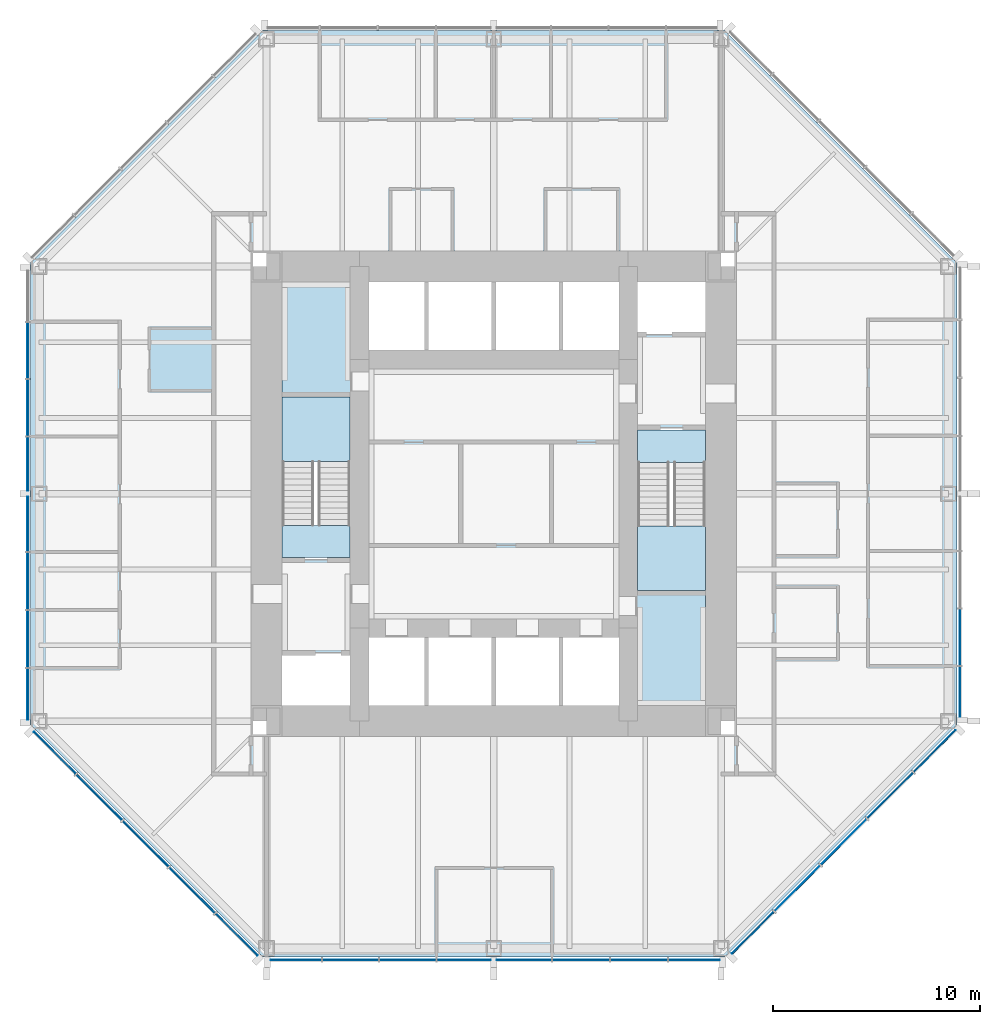
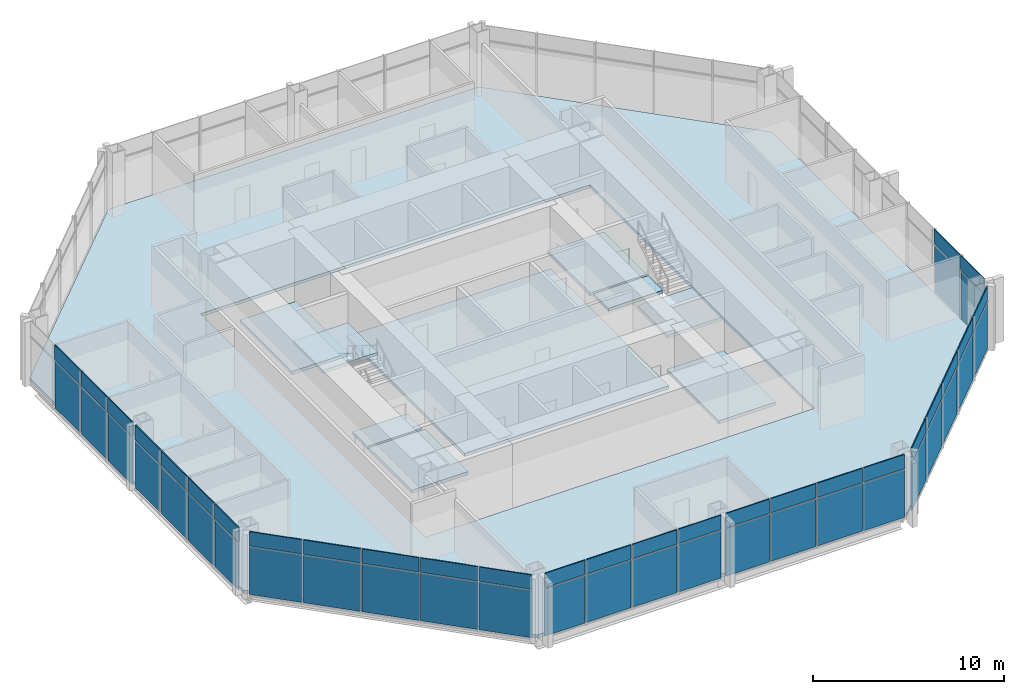
# One storey, part 7 of 12: 54 plates, 10 slabs, 7 elements without a shape of their own.
"""IFC4 building model written with IfcOpenShell, lengths in metres."""

from ifc_helpers import new_model, si_unit, direction, frame, origin, origin_2d, place, context, subcontext, project, spatial, polyline, rectangle, outline, extrude, material, layer, layer_set, type_object, element, aggregate, save


model = new_model("IFC4")

# Units and contexts
model_context = context("Model", 3, precision=1e-05, world=origin(), true_north=direction((0.0, 1.0)))
body_context = subcontext(model_context, "Body", "Model", "MODEL_VIEW")
ifc_project = project(units=[si_unit("LENGTHUNIT", "METRE"), si_unit("AREAUNIT", "SQUARE_METRE"), si_unit("VOLUMEUNIT", "CUBIC_METRE"), si_unit("PLANEANGLEUNIT", "RADIAN"), si_unit("MASSUNIT", "GRAM", prefix="KILO")], contexts=[model_context])

# Site, building, storey
site_placement = place(None, origin())
site = spatial("IfcSite", under=ifc_project, at=site_placement, CompositionType="ELEMENT")
building_placement = place(site_placement, origin())
building = spatial("IfcBuilding", under=site, at=building_placement, Name="Trevanion Tower", CompositionType="ELEMENT")
storey_placement = place(building_placement, frame((0.0, 0.0, 125.39990234375)))
storey = spatial("IfcBuildingStorey", under=building, at=storey_placement, Name="L29", CompositionType="ELEMENT", Elevation=125.39990234375)

# Curtain wall, plates
ifc_material_1 = material(Name="Aluminium and glass", Category="aluminium")
curtain_wall_type = type_object("IfcCurtainWallType", Name="CW2 curtain wall", PredefinedType="USERDEFINED", material=ifc_material_1)
curtain_wall_1_placement = place(storey_placement, origin())
curtain_wall_1 = element("IfcCurtainWall", 1, at=curtain_wall_1_placement, inside=storey, type_object=curtain_wall_type, Name="CW2 L29 0", ObjectType="UNITISED CURTAIN WALL", PredefinedType="USERDEFINED")
ifc_material_2 = material(Name="Aluminium spandrel panel", Category="aluminium")
ifc_layer_1 = layer(ifc_material_2, 0.06005859375)
ifc_layer_set_1 = layer_set([ifc_layer_1], Name="CW2 spandrel panel")
plate_type_1 = type_object("IfcPlateType", Name="CW2 spandrel panel", PredefinedType="CURTAIN_PANEL", material=ifc_layer_set_1)
plate_1_placement = place(storey_placement, frame((22.550048828125, -9.579345703125, 2.99755859375), z_axis=(0.0, 0.0, 1.0), x_axis=(0.0, 1.0, 0.0)))
plate_1 = element("IfcPlate", 2, at=plate_1_placement, type_object=plate_type_1, Name="CW2 panel 1.2", PredefinedType="CURTAIN_PANEL", context=body_context, shape_type="SweptSolid", body=[
    extrude(rectangle(XDim=2.43701171875, YDim=0.06005859375, at=origin_2d()), origin(), (0.0, 0.0, 1.0), 0.91259765625),
])
plate_2_placement = place(storey_placement, frame((22.550048828125, -6.93603515625, 2.99755859375), z_axis=(0.0, 0.0, 1.0), x_axis=(0.0, 1.0, 0.0)))
plate_2 = element("IfcPlate", 3, at=plate_2_placement, type_object=plate_type_1, Name="CW2 panel 2.2", PredefinedType="CURTAIN_PANEL", context=body_context, shape_type="SweptSolid", body=[
    extrude(rectangle(XDim=2.699462890625, YDim=0.06005859375, at=origin_2d()), origin(), (0.0, 0.0, 1.0), 0.91259765625),
])

curtain_wall_2_placement = place(storey_placement, origin())
curtain_wall_2 = element("IfcCurtainWall", 4, at=curtain_wall_2_placement, inside=storey, type_object=curtain_wall_type, Name="CW2 L29 4", ObjectType="UNITISED CURTAIN WALL", PredefinedType="USERDEFINED")
plate_3_placement = place(storey_placement, frame((-22.550048828125, 6.93603515625, 2.99755859375), z_axis=(0.0, 0.0, 1.0), x_axis=(0.0, -1.0, 0.0)))
plate_3 = element("IfcPlate", 5, at=plate_3_placement, type_object=plate_type_1, Name="CW2 panel 2.2", PredefinedType="CURTAIN_PANEL", context=body_context, shape_type="SweptSolid", body=[
    extrude(rectangle(XDim=2.699462890625, YDim=0.06005859375, at=origin_2d()), origin(), (0.0, 0.0, 1.0), 0.91259765625),
])
plate_4_placement = place(storey_placement, frame((-22.550048828125, 4.16162109375, 2.99755859375), z_axis=(0.0, 0.0, 1.0), x_axis=(0.0, -1.0, 0.0)))
plate_4 = element("IfcPlate", 6, at=plate_4_placement, type_object=plate_type_1, Name="CW2 panel 3.2", PredefinedType="CURTAIN_PANEL", context=body_context, shape_type="SweptSolid", body=[
    extrude(rectangle(XDim=2.699462890625, YDim=0.06005859375, at=origin_2d()), origin(), (0.0, 0.0, 1.0), 0.91259765625),
])
plate_5_placement = place(storey_placement, frame((-22.550048828125, 1.443603515625, 2.99755859375), z_axis=(0.0, 0.0, 1.0), x_axis=(0.0, -1.0, 0.0)))
plate_5 = element("IfcPlate", 7, at=plate_5_placement, type_object=plate_type_1, Name="CW2 panel 4.2", PredefinedType="CURTAIN_PANEL", context=body_context, shape_type="SweptSolid", body=[
    extrude(rectangle(XDim=2.5869140625, YDim=0.06005859375, at=origin_2d()), origin(), (0.0, 0.0, 1.0), 0.91259765625),
])
plate_6_placement = place(storey_placement, frame((-22.550048828125, -1.459716796875, 2.99755859375), z_axis=(0.0, 0.0, 1.0), x_axis=(0.0, -1.0, 0.0)))
plate_6 = element("IfcPlate", 8, at=plate_6_placement, type_object=plate_type_1, Name="CW2 panel 5.2", PredefinedType="CURTAIN_PANEL", context=body_context, shape_type="SweptSolid", body=[
    extrude(rectangle(XDim=2.619384765625, YDim=0.06005859375, at=origin_2d()), origin(), (0.0, 0.0, 1.0), 0.91259765625),
])
plate_7_placement = place(storey_placement, frame((-22.550048828125, -4.21044921875, 2.99755859375), z_axis=(0.0, 0.0, 1.0), x_axis=(0.0, -1.0, 0.0)))
plate_7 = element("IfcPlate", 9, at=plate_7_placement, type_object=plate_type_1, Name="CW2 panel 6.2", PredefinedType="CURTAIN_PANEL", context=body_context, shape_type="SweptSolid", body=[
    extrude(rectangle(XDim=2.73193359375, YDim=0.06005859375, at=origin_2d()), origin(), (0.0, 0.0, 1.0), 0.91259765625),
])
plate_8_placement = place(storey_placement, frame((-22.550048828125, -7.017333984375, 2.99755859375), z_axis=(0.0, 0.0, 1.0), x_axis=(0.0, -1.0, 0.0)))
plate_8 = element("IfcPlate", 10, at=plate_8_placement, type_object=plate_type_1, Name="CW2 panel 7.2", PredefinedType="CURTAIN_PANEL", context=body_context, shape_type="SweptSolid", body=[
    extrude(rectangle(XDim=2.73193359375, YDim=0.06005859375, at=origin_2d()), origin(), (0.0, 0.0, 1.0), 0.91259765625),
])
plate_9_placement = place(storey_placement, frame((-22.550048828125, -9.693115234375, 2.99755859375), z_axis=(0.0, 0.0, 1.0), x_axis=(0.0, -1.0, 0.0)))
plate_9 = element("IfcPlate", 11, at=plate_9_placement, type_object=plate_type_1, Name="CW2 panel 8.2", PredefinedType="CURTAIN_PANEL", context=body_context, shape_type="SweptSolid", body=[
    extrude(rectangle(XDim=2.469482421875, YDim=0.06005859375, at=origin_2d()), origin(), (0.0, 0.0, 1.0), 0.91259765625),
])

curtain_wall_3_placement = place(storey_placement, origin())
curtain_wall_3 = element("IfcCurtainWall", 12, at=curtain_wall_3_placement, inside=storey, type_object=curtain_wall_type, Name="CW2 L29 5", ObjectType="UNITISED CURTAIN WALL", PredefinedType="USERDEFINED")
plate_10_placement = place(storey_placement, frame((-21.2421875, -12.53564453125, 2.99755859375), z_axis=(0.0, 0.0, 1.0), x_axis=(0.707106781187, -0.707106781187, 0.0)))
plate_10 = element("IfcPlate", 13, at=plate_10_placement, type_object=plate_type_1, Name="CW2 panel 1.2", PredefinedType="CURTAIN_PANEL", context=body_context, shape_type="SweptSolid", body=[
    extrude(rectangle(XDim=2.8388671875, YDim=0.06005859375, at=origin_2d()), origin(), (0.0, 0.0, 1.0), 0.91259765625),
])
plate_11_placement = place(storey_placement, frame((-19.089111328125, -14.688720703125, 2.99755859375), z_axis=(0.0, 0.0, 1.0), x_axis=(0.707106781187, -0.707106781187, 0.0)))
plate_11 = element("IfcPlate", 14, at=plate_11_placement, type_object=plate_type_1, Name="CW2 panel 2.2", PredefinedType="CURTAIN_PANEL", context=body_context, shape_type="SweptSolid", body=[
    extrude(rectangle(XDim=3.101318359375, YDim=0.06005859375, at=origin_2d()), origin(), (0.0, 0.0, 1.0), 0.91259765625),
])
plate_12_placement = place(storey_placement, frame((-16.843017578125, -16.934814453125, 2.99755859375), z_axis=(0.0, 0.0, 1.0), x_axis=(0.707106781187, -0.707106781187, 0.0)))
plate_12 = element("IfcPlate", 15, at=plate_12_placement, type_object=plate_type_1, Name="CW2 panel 3.2", PredefinedType="CURTAIN_PANEL", context=body_context, shape_type="SweptSolid", body=[
    extrude(rectangle(XDim=3.101318359375, YDim=0.06005859375, at=origin_2d()), origin(), (0.0, 0.0, 1.0), 0.91259765625),
])
plate_13_placement = place(storey_placement, frame((-14.596923828125, -19.180908203125, 2.99755859375), z_axis=(0.0, 0.0, 1.0), x_axis=(0.707106781187, -0.707106781187, 0.0)))
plate_13 = element("IfcPlate", 16, at=plate_13_placement, type_object=plate_type_1, Name="CW2 panel 4.2", PredefinedType="CURTAIN_PANEL", context=body_context, shape_type="SweptSolid", body=[
    extrude(rectangle(XDim=3.101318359375, YDim=0.06005859375, at=origin_2d()), origin(), (0.0, 0.0, 1.0), 0.91259765625),
])
plate_14_placement = place(storey_placement, frame((-12.443603515625, -21.334228515625, 2.99755859375), z_axis=(0.0, 0.0, 1.0), x_axis=(0.707106781187, -0.707106781187, 0.0)))
plate_14 = element("IfcPlate", 17, at=plate_14_placement, type_object=plate_type_1, Name="CW2 panel 5.2", PredefinedType="CURTAIN_PANEL", context=body_context, shape_type="SweptSolid", body=[
    extrude(rectangle(XDim=2.8388671875, YDim=0.06005859375, at=origin_2d()), origin(), (0.0, 0.0, 1.0), 0.91259765625),
])

curtain_wall_4_placement = place(storey_placement, origin())
curtain_wall_4 = element("IfcCurtainWall", 18, at=curtain_wall_4_placement, inside=storey, type_object=curtain_wall_type, Name="CW2 L29 6", ObjectType="UNITISED CURTAIN WALL", PredefinedType="USERDEFINED")
plate_15_placement = place(storey_placement, frame((-9.579345703125, -22.550048828125, 2.99755859375), z_axis=(0.0, 0.0, 1.0), x_axis=(1.0, 0.0, 0.0)))
plate_15 = element("IfcPlate", 19, at=plate_15_placement, type_object=plate_type_1, Name="CW2 panel 1.2", PredefinedType="CURTAIN_PANEL", context=body_context, shape_type="SweptSolid", body=[
    extrude(rectangle(XDim=2.43701171875, YDim=0.06005859375, at=origin_2d()), origin(), (0.0, 0.0, 1.0), 0.91259765625),
])
plate_16_placement = place(storey_placement, frame((-6.93603515625, -22.550048828125, 2.99755859375), z_axis=(0.0, 0.0, 1.0), x_axis=(1.0, 0.0, 0.0)))
plate_16 = element("IfcPlate", 20, at=plate_16_placement, type_object=plate_type_1, Name="CW2 panel 2.2", PredefinedType="CURTAIN_PANEL", context=body_context, shape_type="SweptSolid", body=[
    extrude(rectangle(XDim=2.699462890625, YDim=0.06005859375, at=origin_2d()), origin(), (0.0, 0.0, 1.0), 0.91259765625),
])
plate_17_placement = place(storey_placement, frame((-4.16162109375, -22.550048828125, 2.99755859375), z_axis=(0.0, 0.0, 1.0), x_axis=(1.0, 0.0, 0.0)))
plate_17 = element("IfcPlate", 21, at=plate_17_placement, type_object=plate_type_1, Name="CW2 panel 3.2", PredefinedType="CURTAIN_PANEL", context=body_context, shape_type="SweptSolid", body=[
    extrude(rectangle(XDim=2.699462890625, YDim=0.06005859375, at=origin_2d()), origin(), (0.0, 0.0, 1.0), 0.91259765625),
])
plate_18_placement = place(storey_placement, frame((-1.443603515625, -22.550048828125, 2.99755859375), z_axis=(0.0, 0.0, 1.0), x_axis=(1.0, 0.0, 0.0)))
plate_18 = element("IfcPlate", 22, at=plate_18_placement, type_object=plate_type_1, Name="CW2 panel 4.2", PredefinedType="CURTAIN_PANEL", context=body_context, shape_type="SweptSolid", body=[
    extrude(rectangle(XDim=2.5869140625, YDim=0.06005859375, at=origin_2d()), origin(), (0.0, 0.0, 1.0), 0.91259765625),
])
plate_19_placement = place(storey_placement, frame((1.459716796875, -22.550048828125, 2.99755859375), z_axis=(0.0, 0.0, 1.0), x_axis=(1.0, 0.0, 0.0)))
plate_19 = element("IfcPlate", 23, at=plate_19_placement, type_object=plate_type_1, Name="CW2 panel 5.2", PredefinedType="CURTAIN_PANEL", context=body_context, shape_type="SweptSolid", body=[
    extrude(rectangle(XDim=2.619384765625, YDim=0.06005859375, at=origin_2d()), origin(), (0.0, 0.0, 1.0), 0.91259765625),
])
plate_20_placement = place(storey_placement, frame((4.21044921875, -22.550048828125, 2.99755859375), z_axis=(0.0, 0.0, 1.0), x_axis=(1.0, 0.0, 0.0)))
plate_20 = element("IfcPlate", 24, at=plate_20_placement, type_object=plate_type_1, Name="CW2 panel 6.2", PredefinedType="CURTAIN_PANEL", context=body_context, shape_type="SweptSolid", body=[
    extrude(rectangle(XDim=2.73193359375, YDim=0.06005859375, at=origin_2d()), origin(), (0.0, 0.0, 1.0), 0.91259765625),
])
plate_21_placement = place(storey_placement, frame((7.017333984375, -22.550048828125, 2.99755859375), z_axis=(0.0, 0.0, 1.0), x_axis=(1.0, 0.0, 0.0)))
plate_21 = element("IfcPlate", 25, at=plate_21_placement, type_object=plate_type_1, Name="CW2 panel 7.2", PredefinedType="CURTAIN_PANEL", context=body_context, shape_type="SweptSolid", body=[
    extrude(rectangle(XDim=2.73193359375, YDim=0.06005859375, at=origin_2d()), origin(), (0.0, 0.0, 1.0), 0.91259765625),
])
plate_22_placement = place(storey_placement, frame((9.693115234375, -22.550048828125, 2.99755859375), z_axis=(0.0, 0.0, 1.0), x_axis=(1.0, 0.0, 0.0)))
plate_22 = element("IfcPlate", 26, at=plate_22_placement, type_object=plate_type_1, Name="CW2 panel 8.2", PredefinedType="CURTAIN_PANEL", context=body_context, shape_type="SweptSolid", body=[
    extrude(rectangle(XDim=2.469482421875, YDim=0.06005859375, at=origin_2d()), origin(), (0.0, 0.0, 1.0), 0.91259765625),
])

curtain_wall_5_placement = place(storey_placement, origin())
curtain_wall_5 = element("IfcCurtainWall", 27, at=curtain_wall_5_placement, inside=storey, type_object=curtain_wall_type, Name="CW2 L29 7", ObjectType="UNITISED CURTAIN WALL", PredefinedType="USERDEFINED")
plate_23_placement = place(storey_placement, frame((12.53564453125, -21.2421875, 2.99755859375), z_axis=(0.0, 0.0, 1.0), x_axis=(0.707106781187, 0.707106781187, 0.0)))
plate_23 = element("IfcPlate", 28, at=plate_23_placement, type_object=plate_type_1, Name="CW2 panel 1.2", PredefinedType="CURTAIN_PANEL", context=body_context, shape_type="SweptSolid", body=[
    extrude(rectangle(XDim=2.8388671875, YDim=0.06005859375, at=origin_2d()), origin(), (0.0, 0.0, 1.0), 0.91259765625),
])
plate_24_placement = place(storey_placement, frame((14.688720703125, -19.089111328125, 2.99755859375), z_axis=(0.0, 0.0, 1.0), x_axis=(0.707106781187, 0.707106781187, 0.0)))
plate_24 = element("IfcPlate", 29, at=plate_24_placement, type_object=plate_type_1, Name="CW2 panel 2.2", PredefinedType="CURTAIN_PANEL", context=body_context, shape_type="SweptSolid", body=[
    extrude(rectangle(XDim=3.101318359375, YDim=0.06005859375, at=origin_2d()), origin(), (0.0, 0.0, 1.0), 0.91259765625),
])
plate_25_placement = place(storey_placement, frame((16.934814453125, -16.843017578125, 2.99755859375), z_axis=(0.0, 0.0, 1.0), x_axis=(0.707106781187, 0.707106781187, 0.0)))
plate_25 = element("IfcPlate", 30, at=plate_25_placement, type_object=plate_type_1, Name="CW2 panel 3.2", PredefinedType="CURTAIN_PANEL", context=body_context, shape_type="SweptSolid", body=[
    extrude(rectangle(XDim=3.101318359375, YDim=0.06005859375, at=origin_2d()), origin(), (0.0, 0.0, 1.0), 0.91259765625),
])
plate_26_placement = place(storey_placement, frame((19.180908203125, -14.596923828125, 2.99755859375), z_axis=(0.0, 0.0, 1.0), x_axis=(0.707106781187, 0.707106781187, 0.0)))
plate_26 = element("IfcPlate", 31, at=plate_26_placement, type_object=plate_type_1, Name="CW2 panel 4.2", PredefinedType="CURTAIN_PANEL", context=body_context, shape_type="SweptSolid", body=[
    extrude(rectangle(XDim=3.101318359375, YDim=0.06005859375, at=origin_2d()), origin(), (0.0, 0.0, 1.0), 0.91259765625),
])
plate_27_placement = place(storey_placement, frame((21.334228515625, -12.443603515625, 2.99755859375), z_axis=(0.0, 0.0, 1.0), x_axis=(0.707106781187, 0.707106781187, 0.0)))
plate_27 = element("IfcPlate", 32, at=plate_27_placement, type_object=plate_type_1, Name="CW2 panel 5.2", PredefinedType="CURTAIN_PANEL", context=body_context, shape_type="SweptSolid", body=[
    extrude(rectangle(XDim=2.8388671875, YDim=0.06005859375, at=origin_2d()), origin(), (0.0, 0.0, 1.0), 0.91259765625),
])

# Plate
ifc_material_3 = material(Name="Insulating glass unit", Category="glass")
ifc_layer_2 = layer(ifc_material_3, 0.028076171875)
ifc_layer_set_2 = layer_set([ifc_layer_2], Name="CW2 vision panel")
plate_type_2 = type_object("IfcPlateType", Name="CW2 vision panel", PredefinedType="CURTAIN_PANEL", material=ifc_layer_set_2)
plate_28_placement = place(storey_placement, frame((22.550048828125, -9.579345703125, -0.114990234375), z_axis=(0.0, 0.0, 1.0), x_axis=(0.0, 1.0, 0.0)))
plate_28 = element("IfcPlate", 33, at=plate_28_placement, type_object=plate_type_2, Name="CW2 panel 1.1", PredefinedType="CURTAIN_PANEL", context=body_context, shape_type="SweptSolid", body=[
    extrude(rectangle(XDim=2.43701171875, YDim=0.028076171875, at=origin_2d()), origin(), (0.0, 0.0, 1.0), 3.03759765625),
])

plate_29_placement = place(storey_placement, frame((22.550048828125, -6.93603515625, -0.114990234375), z_axis=(0.0, 0.0, 1.0), x_axis=(0.0, 1.0, 0.0)))
plate_29 = element("IfcPlate", 34, at=plate_29_placement, type_object=plate_type_2, Name="CW2 panel 2.1", PredefinedType="CURTAIN_PANEL", context=body_context, shape_type="SweptSolid", body=[
    extrude(rectangle(XDim=2.699462890625, YDim=0.028076171875, at=origin_2d()), origin(), (0.0, 0.0, 1.0), 3.03759765625),
])

aggregate(curtain_wall_1, [plate_28, plate_1, plate_29, plate_2])

plate_30_placement = place(storey_placement, frame((-22.550048828125, 6.93603515625, -0.114990234375), z_axis=(0.0, 0.0, 1.0), x_axis=(0.0, -1.0, 0.0)))
plate_30 = element("IfcPlate", 35, at=plate_30_placement, type_object=plate_type_2, Name="CW2 panel 2.1", PredefinedType="CURTAIN_PANEL", context=body_context, shape_type="SweptSolid", body=[
    extrude(rectangle(XDim=2.699462890625, YDim=0.028076171875, at=origin_2d()), origin(), (0.0, 0.0, 1.0), 3.03759765625),
])

plate_31_placement = place(storey_placement, frame((-22.550048828125, 4.16162109375, -0.114990234375), z_axis=(0.0, 0.0, 1.0), x_axis=(0.0, -1.0, 0.0)))
plate_31 = element("IfcPlate", 36, at=plate_31_placement, type_object=plate_type_2, Name="CW2 panel 3.1", PredefinedType="CURTAIN_PANEL", context=body_context, shape_type="SweptSolid", body=[
    extrude(rectangle(XDim=2.699462890625, YDim=0.028076171875, at=origin_2d()), origin(), (0.0, 0.0, 1.0), 3.03759765625),
])

plate_32_placement = place(storey_placement, frame((-22.550048828125, 1.443603515625, -0.114990234375), z_axis=(0.0, 0.0, 1.0), x_axis=(0.0, -1.0, 0.0)))
plate_32 = element("IfcPlate", 37, at=plate_32_placement, type_object=plate_type_2, Name="CW2 panel 4.1", PredefinedType="CURTAIN_PANEL", context=body_context, shape_type="SweptSolid", body=[
    extrude(rectangle(XDim=2.5869140625, YDim=0.028076171875, at=origin_2d()), origin(), (0.0, 0.0, 1.0), 3.03759765625),
])

plate_33_placement = place(storey_placement, frame((-22.550048828125, -1.459716796875, -0.114990234375), z_axis=(0.0, 0.0, 1.0), x_axis=(0.0, -1.0, 0.0)))
plate_33 = element("IfcPlate", 38, at=plate_33_placement, type_object=plate_type_2, Name="CW2 panel 5.1", PredefinedType="CURTAIN_PANEL", context=body_context, shape_type="SweptSolid", body=[
    extrude(rectangle(XDim=2.619384765625, YDim=0.028076171875, at=origin_2d()), origin(), (0.0, 0.0, 1.0), 3.03759765625),
])

plate_34_placement = place(storey_placement, frame((-22.550048828125, -4.21044921875, -0.114990234375), z_axis=(0.0, 0.0, 1.0), x_axis=(0.0, -1.0, 0.0)))
plate_34 = element("IfcPlate", 39, at=plate_34_placement, type_object=plate_type_2, Name="CW2 panel 6.1", PredefinedType="CURTAIN_PANEL", context=body_context, shape_type="SweptSolid", body=[
    extrude(rectangle(XDim=2.73193359375, YDim=0.028076171875, at=origin_2d()), origin(), (0.0, 0.0, 1.0), 3.03759765625),
])

plate_35_placement = place(storey_placement, frame((-22.550048828125, -7.017333984375, -0.114990234375), z_axis=(0.0, 0.0, 1.0), x_axis=(0.0, -1.0, 0.0)))
plate_35 = element("IfcPlate", 40, at=plate_35_placement, type_object=plate_type_2, Name="CW2 panel 7.1", PredefinedType="CURTAIN_PANEL", context=body_context, shape_type="SweptSolid", body=[
    extrude(rectangle(XDim=2.73193359375, YDim=0.028076171875, at=origin_2d()), origin(), (0.0, 0.0, 1.0), 3.03759765625),
])

plate_36_placement = place(storey_placement, frame((-22.550048828125, -9.693115234375, -0.114990234375), z_axis=(0.0, 0.0, 1.0), x_axis=(0.0, -1.0, 0.0)))
plate_36 = element("IfcPlate", 41, at=plate_36_placement, type_object=plate_type_2, Name="CW2 panel 8.1", PredefinedType="CURTAIN_PANEL", context=body_context, shape_type="SweptSolid", body=[
    extrude(rectangle(XDim=2.469482421875, YDim=0.028076171875, at=origin_2d()), origin(), (0.0, 0.0, 1.0), 3.03759765625),
])

aggregate(curtain_wall_2, [plate_30, plate_3, plate_31, plate_4, plate_32, plate_5, plate_33, plate_6, plate_34, plate_7, plate_35, plate_8, plate_36, plate_9])

plate_37_placement = place(storey_placement, frame((-21.2421875, -12.53564453125, -0.114990234375), z_axis=(0.0, 0.0, 1.0), x_axis=(0.707106781187, -0.707106781187, 0.0)))
plate_37 = element("IfcPlate", 42, at=plate_37_placement, type_object=plate_type_2, Name="CW2 panel 1.1", PredefinedType="CURTAIN_PANEL", context=body_context, shape_type="SweptSolid", body=[
    extrude(rectangle(XDim=2.8388671875, YDim=0.028076171875, at=origin_2d()), origin(), (0.0, 0.0, 1.0), 3.03759765625),
])

plate_38_placement = place(storey_placement, frame((-19.089111328125, -14.688720703125, -0.114990234375), z_axis=(0.0, 0.0, 1.0), x_axis=(0.707106781187, -0.707106781187, 0.0)))
plate_38 = element("IfcPlate", 43, at=plate_38_placement, type_object=plate_type_2, Name="CW2 panel 2.1", PredefinedType="CURTAIN_PANEL", context=body_context, shape_type="SweptSolid", body=[
    extrude(rectangle(XDim=3.101318359375, YDim=0.028076171875, at=origin_2d()), origin(), (0.0, 0.0, 1.0), 3.03759765625),
])

plate_39_placement = place(storey_placement, frame((-16.843017578125, -16.934814453125, -0.114990234375), z_axis=(0.0, 0.0, 1.0), x_axis=(0.707106781187, -0.707106781187, 0.0)))
plate_39 = element("IfcPlate", 44, at=plate_39_placement, type_object=plate_type_2, Name="CW2 panel 3.1", PredefinedType="CURTAIN_PANEL", context=body_context, shape_type="SweptSolid", body=[
    extrude(rectangle(XDim=3.101318359375, YDim=0.028076171875, at=origin_2d()), origin(), (0.0, 0.0, 1.0), 3.03759765625),
])

plate_40_placement = place(storey_placement, frame((-14.596923828125, -19.180908203125, -0.114990234375), z_axis=(0.0, 0.0, 1.0), x_axis=(0.707106781187, -0.707106781187, 0.0)))
plate_40 = element("IfcPlate", 45, at=plate_40_placement, type_object=plate_type_2, Name="CW2 panel 4.1", PredefinedType="CURTAIN_PANEL", context=body_context, shape_type="SweptSolid", body=[
    extrude(rectangle(XDim=3.101318359375, YDim=0.028076171875, at=origin_2d()), origin(), (0.0, 0.0, 1.0), 3.03759765625),
])

plate_41_placement = place(storey_placement, frame((-12.443603515625, -21.334228515625, -0.114990234375), z_axis=(0.0, 0.0, 1.0), x_axis=(0.707106781187, -0.707106781187, 0.0)))
plate_41 = element("IfcPlate", 46, at=plate_41_placement, type_object=plate_type_2, Name="CW2 panel 5.1", PredefinedType="CURTAIN_PANEL", context=body_context, shape_type="SweptSolid", body=[
    extrude(rectangle(XDim=2.8388671875, YDim=0.028076171875, at=origin_2d()), origin(), (0.0, 0.0, 1.0), 3.03759765625),
])

aggregate(curtain_wall_3, [plate_37, plate_10, plate_38, plate_11, plate_39, plate_12, plate_40, plate_13, plate_41, plate_14])

plate_42_placement = place(storey_placement, frame((-9.579345703125, -22.550048828125, -0.114990234375), z_axis=(0.0, 0.0, 1.0), x_axis=(1.0, 0.0, 0.0)))
plate_42 = element("IfcPlate", 47, at=plate_42_placement, type_object=plate_type_2, Name="CW2 panel 1.1", PredefinedType="CURTAIN_PANEL", context=body_context, shape_type="SweptSolid", body=[
    extrude(rectangle(XDim=2.43701171875, YDim=0.028076171875, at=origin_2d()), origin(), (0.0, 0.0, 1.0), 3.03759765625),
])

plate_43_placement = place(storey_placement, frame((-6.93603515625, -22.550048828125, -0.114990234375), z_axis=(0.0, 0.0, 1.0), x_axis=(1.0, 0.0, 0.0)))
plate_43 = element("IfcPlate", 48, at=plate_43_placement, type_object=plate_type_2, Name="CW2 panel 2.1", PredefinedType="CURTAIN_PANEL", context=body_context, shape_type="SweptSolid", body=[
    extrude(rectangle(XDim=2.699462890625, YDim=0.028076171875, at=origin_2d()), origin(), (0.0, 0.0, 1.0), 3.03759765625),
])

plate_44_placement = place(storey_placement, frame((-4.16162109375, -22.550048828125, -0.114990234375), z_axis=(0.0, 0.0, 1.0), x_axis=(1.0, 0.0, 0.0)))
plate_44 = element("IfcPlate", 49, at=plate_44_placement, type_object=plate_type_2, Name="CW2 panel 3.1", PredefinedType="CURTAIN_PANEL", context=body_context, shape_type="SweptSolid", body=[
    extrude(rectangle(XDim=2.699462890625, YDim=0.028076171875, at=origin_2d()), origin(), (0.0, 0.0, 1.0), 3.03759765625),
])

plate_45_placement = place(storey_placement, frame((-1.443603515625, -22.550048828125, -0.114990234375), z_axis=(0.0, 0.0, 1.0), x_axis=(1.0, 0.0, 0.0)))
plate_45 = element("IfcPlate", 50, at=plate_45_placement, type_object=plate_type_2, Name="CW2 panel 4.1", PredefinedType="CURTAIN_PANEL", context=body_context, shape_type="SweptSolid", body=[
    extrude(rectangle(XDim=2.5869140625, YDim=0.028076171875, at=origin_2d()), origin(), (0.0, 0.0, 1.0), 3.03759765625),
])

plate_46_placement = place(storey_placement, frame((1.459716796875, -22.550048828125, -0.114990234375), z_axis=(0.0, 0.0, 1.0), x_axis=(1.0, 0.0, 0.0)))
plate_46 = element("IfcPlate", 51, at=plate_46_placement, type_object=plate_type_2, Name="CW2 panel 5.1", PredefinedType="CURTAIN_PANEL", context=body_context, shape_type="SweptSolid", body=[
    extrude(rectangle(XDim=2.619384765625, YDim=0.028076171875, at=origin_2d()), origin(), (0.0, 0.0, 1.0), 3.03759765625),
])

plate_47_placement = place(storey_placement, frame((4.21044921875, -22.550048828125, -0.114990234375), z_axis=(0.0, 0.0, 1.0), x_axis=(1.0, 0.0, 0.0)))
plate_47 = element("IfcPlate", 52, at=plate_47_placement, type_object=plate_type_2, Name="CW2 panel 6.1", PredefinedType="CURTAIN_PANEL", context=body_context, shape_type="SweptSolid", body=[
    extrude(rectangle(XDim=2.73193359375, YDim=0.028076171875, at=origin_2d()), origin(), (0.0, 0.0, 1.0), 3.03759765625),
])

plate_48_placement = place(storey_placement, frame((7.017333984375, -22.550048828125, -0.114990234375), z_axis=(0.0, 0.0, 1.0), x_axis=(1.0, 0.0, 0.0)))
plate_48 = element("IfcPlate", 53, at=plate_48_placement, type_object=plate_type_2, Name="CW2 panel 7.1", PredefinedType="CURTAIN_PANEL", context=body_context, shape_type="SweptSolid", body=[
    extrude(rectangle(XDim=2.73193359375, YDim=0.028076171875, at=origin_2d()), origin(), (0.0, 0.0, 1.0), 3.03759765625),
])

plate_49_placement = place(storey_placement, frame((9.693115234375, -22.550048828125, -0.114990234375), z_axis=(0.0, 0.0, 1.0), x_axis=(1.0, 0.0, 0.0)))
plate_49 = element("IfcPlate", 54, at=plate_49_placement, type_object=plate_type_2, Name="CW2 panel 8.1", PredefinedType="CURTAIN_PANEL", context=body_context, shape_type="SweptSolid", body=[
    extrude(rectangle(XDim=2.469482421875, YDim=0.028076171875, at=origin_2d()), origin(), (0.0, 0.0, 1.0), 3.03759765625),
])

aggregate(curtain_wall_4, [plate_42, plate_15, plate_43, plate_16, plate_44, plate_17, plate_45, plate_18, plate_46, plate_19, plate_47, plate_20, plate_48, plate_21, plate_49, plate_22])

plate_50_placement = place(storey_placement, frame((12.53564453125, -21.2421875, -0.114990234375), z_axis=(0.0, 0.0, 1.0), x_axis=(0.707106781187, 0.707106781187, 0.0)))
plate_50 = element("IfcPlate", 55, at=plate_50_placement, type_object=plate_type_2, Name="CW2 panel 1.1", PredefinedType="CURTAIN_PANEL", context=body_context, shape_type="SweptSolid", body=[
    extrude(rectangle(XDim=2.8388671875, YDim=0.028076171875, at=origin_2d()), origin(), (0.0, 0.0, 1.0), 3.03759765625),
])

plate_51_placement = place(storey_placement, frame((14.688720703125, -19.089111328125, -0.114990234375), z_axis=(0.0, 0.0, 1.0), x_axis=(0.707106781187, 0.707106781187, 0.0)))
plate_51 = element("IfcPlate", 56, at=plate_51_placement, type_object=plate_type_2, Name="CW2 panel 2.1", PredefinedType="CURTAIN_PANEL", context=body_context, shape_type="SweptSolid", body=[
    extrude(rectangle(XDim=3.101318359375, YDim=0.028076171875, at=origin_2d()), origin(), (0.0, 0.0, 1.0), 3.03759765625),
])

plate_52_placement = place(storey_placement, frame((16.934814453125, -16.843017578125, -0.114990234375), z_axis=(0.0, 0.0, 1.0), x_axis=(0.707106781187, 0.707106781187, 0.0)))
plate_52 = element("IfcPlate", 57, at=plate_52_placement, type_object=plate_type_2, Name="CW2 panel 3.1", PredefinedType="CURTAIN_PANEL", context=body_context, shape_type="SweptSolid", body=[
    extrude(rectangle(XDim=3.101318359375, YDim=0.028076171875, at=origin_2d()), origin(), (0.0, 0.0, 1.0), 3.03759765625),
])

plate_53_placement = place(storey_placement, frame((19.180908203125, -14.596923828125, -0.114990234375), z_axis=(0.0, 0.0, 1.0), x_axis=(0.707106781187, 0.707106781187, 0.0)))
plate_53 = element("IfcPlate", 58, at=plate_53_placement, type_object=plate_type_2, Name="CW2 panel 4.1", PredefinedType="CURTAIN_PANEL", context=body_context, shape_type="SweptSolid", body=[
    extrude(rectangle(XDim=3.101318359375, YDim=0.028076171875, at=origin_2d()), origin(), (0.0, 0.0, 1.0), 3.03759765625),
])

plate_54_placement = place(storey_placement, frame((21.334228515625, -12.443603515625, -0.114990234375), z_axis=(0.0, 0.0, 1.0), x_axis=(0.707106781187, 0.707106781187, 0.0)))
plate_54 = element("IfcPlate", 59, at=plate_54_placement, type_object=plate_type_2, Name="CW2 panel 5.1", PredefinedType="CURTAIN_PANEL", context=body_context, shape_type="SweptSolid", body=[
    extrude(rectangle(XDim=2.8388671875, YDim=0.028076171875, at=origin_2d()), origin(), (0.0, 0.0, 1.0), 3.03759765625),
])

aggregate(curtain_wall_5, [plate_50, plate_23, plate_51, plate_24, plate_52, plate_25, plate_53, plate_26, plate_54, plate_27])

# Slabs
ifc_material_4 = material(Name="Concrete 5,000 psi on composite metal deck", Category="concrete")
ifc_layer_3 = layer(ifc_material_4, 0.18994140625)
ifc_layer_set_3 = layer_set([ifc_layer_3], Name="SL1 composite floor 190")
slab_type_1 = type_object("IfcSlabType", Name="SL1 composite floor 190", PredefinedType="FLOOR", material=ifc_layer_set_3)
slab_1_placement = place(storey_placement, frame((0.0, 0.0, -0.18994140625)))
element("IfcSlab", 60, at=slab_1_placement, inside=storey, type_object=slab_type_1, Name="SL1 L29 floor", PredefinedType="FLOOR", context=body_context, shape_type="SweptSolid", body=[
    extrude(outline(polyline([(22.419921875, -11.174072265625), (22.419921875, 11.174072265625), (11.174072265625, 22.419921875), (-11.174072265625, 22.419921875), (-22.419921875, 11.174072265625), (-22.419921875, -11.174072265625), (-11.174072265625, -22.419921875), (11.174072265625, -22.419921875), (22.419921875, -11.174072265625)]), holes=[polyline([(11.75, -11.75), (11.75, 11.75), (-11.75, 11.75), (-11.75, -11.75), (11.75, -11.75)])]), origin(), (0.0, 0.0, 1.0), 0.18994140625),
])
ifc_material_5 = material(Name="Concrete 5,000 psi", Category="concrete")
ifc_layer_4 = layer(ifc_material_5, 0.199951171875)
ifc_layer_set_4 = layer_set([ifc_layer_4], Name="SL2 core floor 200")
slab_type_2 = type_object("IfcSlabType", Name="SL2 core floor 200", PredefinedType="FLOOR", material=ifc_layer_set_4)
slab_2_placement = place(storey_placement, frame((0.0, 0.0, -0.199951171875)))
element("IfcSlab", 61, at=slab_2_placement, inside=storey, type_object=slab_type_2, Name="SL2 L29 core floor 1", PredefinedType="FLOOR", context=body_context, shape_type="SweptSolid", body=[
    extrude(outline(polyline([(10.25, -4.804931640625), (10.25, -10.25), (6.830078125, -10.25), (6.830078125, -4.804931640625), (10.25, -4.804931640625)])), origin(), (0.0, 0.0, 1.0), 0.199951171875),
])
slab_3_placement = place(storey_placement, frame((0.0, 0.0, -0.199951171875)))
element("IfcSlab", 62, at=slab_3_placement, inside=storey, type_object=slab_type_2, Name="SL2 L29 core floor 2", PredefinedType="FLOOR", context=body_context, shape_type="SweptSolid", body=[
    extrude(outline(polyline([(-6.830078125, -3.205078125), (-6.830078125, -7.695068359375), (-10.25, -7.695068359375), (-10.25, -3.205078125), (-6.830078125, -3.205078125)])), origin(), (0.0, 0.0, 1.0), 0.199951171875),
])
slab_4_placement = place(storey_placement, frame((0.0, 0.0, -0.199951171875)))
element("IfcSlab", 63, at=slab_4_placement, inside=storey, type_object=slab_type_2, Name="SL2 L29 core floor 3", PredefinedType="FLOOR", context=body_context, shape_type="SweptSolid", body=[
    extrude(outline(polyline([(6.169921875, -6.169921875), (-6.169921875, -6.169921875), (-6.169921875, 6.169921875), (6.169921875, 6.169921875), (6.169921875, -6.169921875)])), origin(), (0.0, 0.0, 1.0), 0.199951171875),
])
slab_5_placement = place(storey_placement, frame((0.0, 0.0, -0.199951171875)))
element("IfcSlab", 64, at=slab_5_placement, inside=storey, type_object=slab_type_2, Name="SL2 L29 core floor 4", PredefinedType="FLOOR", context=body_context, shape_type="SweptSolid", body=[
    extrude(outline(polyline([(6.830078125, 3.205078125), (6.830078125, 7.695068359375), (10.25, 7.695068359375), (10.25, 3.205078125), (6.830078125, 3.205078125)])), origin(), (0.0, 0.0, 1.0), 0.199951171875),
])
slab_6_placement = place(storey_placement, frame((0.0, 0.0, -0.199951171875)))
element("IfcSlab", 65, at=slab_6_placement, inside=storey, type_object=slab_type_2, Name="SL2 L29 core floor 5", PredefinedType="FLOOR", context=body_context, shape_type="SweptSolid", body=[
    extrude(outline(polyline([(-6.830078125, 4.804931640625), (-10.25, 4.804931640625), (-10.25, 10.25), (-6.830078125, 10.25), (-6.830078125, 4.804931640625)])), origin(), (0.0, 0.0, 1.0), 0.199951171875),
])

# Stair, slabs
ifc_material_6 = material(Name="Concrete 5,000 psi on steel stringers", Category="concrete")
stair_type = type_object("IfcStairType", Name="ST stair", PredefinedType="HALF_TURN_STAIR", material=ifc_material_6)
stair_1_placement = place(storey_placement, origin())
stair_1 = element("IfcStair", 66, at=stair_1_placement, inside=storey, type_object=stair_type, Name="ST1 L29", PredefinedType="HALF_TURN_STAIR")
ifc_material_7 = material(Name="Concrete 5,000 psi in steel pan", Category="concrete")
ifc_layer_5 = layer(ifc_material_7, 0.199951171875)
ifc_layer_set_5 = layer_set([ifc_layer_5], Name="STL stair landing 200")
slab_type_3 = type_object("IfcSlabType", Name="STL stair landing 200", PredefinedType="LANDING", material=ifc_layer_set_5)
slab_7_placement = place(storey_placement, frame((0.0, 0.0, -0.199951171875)))
slab_7 = element("IfcSlab", 67, at=slab_7_placement, type_object=slab_type_3, Name="ST1 landing 1", PredefinedType="LANDING", context=body_context, shape_type="SweptSolid", body=[
    extrude(outline(polyline([(6.949951171875, 1.52490234375), (10.25, 1.52490234375), (10.25, 3.074951171875), (6.949951171875, 3.074951171875), (6.949951171875, 1.52490234375)])), origin(), (0.0, 0.0, 1.0), 0.199951171875),
])
slab_8_placement = place(storey_placement, frame((0.0, 0.0, 1.85009765625)))
slab_8 = element("IfcSlab", 68, at=slab_8_placement, type_object=slab_type_3, Name="ST1 landing 2", PredefinedType="LANDING", context=body_context, shape_type="SweptSolid", body=[
    extrude(outline(polyline([(6.949951171875, -4.675048828125), (10.25, -4.675048828125), (10.25, -1.554931640625), (6.949951171875, -1.554931640625), (6.949951171875, -4.675048828125)])), origin(), (0.0, 0.0, 1.0), 0.199951171875),
])
aggregate(stair_1, [slab_7, slab_8])

stair_2_placement = place(storey_placement, origin())
stair_2 = element("IfcStair", 69, at=stair_2_placement, inside=storey, type_object=stair_type, Name="ST2 L29", PredefinedType="HALF_TURN_STAIR")
slab_9_placement = place(storey_placement, frame((0.0, 0.0, -0.199951171875)))
slab_9 = element("IfcSlab", 70, at=slab_9_placement, type_object=slab_type_3, Name="ST2 landing 1", PredefinedType="LANDING", context=body_context, shape_type="SweptSolid", body=[
    extrude(outline(polyline([(-6.949951171875, -1.52490234375), (-10.25, -1.52490234375), (-10.25, -3.074951171875), (-6.949951171875, -3.074951171875), (-6.949951171875, -1.52490234375)])), origin(), (0.0, 0.0, 1.0), 0.199951171875),
])
slab_10_placement = place(storey_placement, frame((0.0, 0.0, 1.85009765625)))
slab_10 = element("IfcSlab", 71, at=slab_10_placement, type_object=slab_type_3, Name="ST2 landing 2", PredefinedType="LANDING", context=body_context, shape_type="SweptSolid", body=[
    extrude(outline(polyline([(-6.949951171875, 4.675048828125), (-10.25, 4.675048828125), (-10.25, 1.554931640625), (-6.949951171875, 1.554931640625), (-6.949951171875, 4.675048828125)])), origin(), (0.0, 0.0, 1.0), 0.199951171875),
])
aggregate(stair_2, [slab_9, slab_10])

save(model, "model.ifc")
